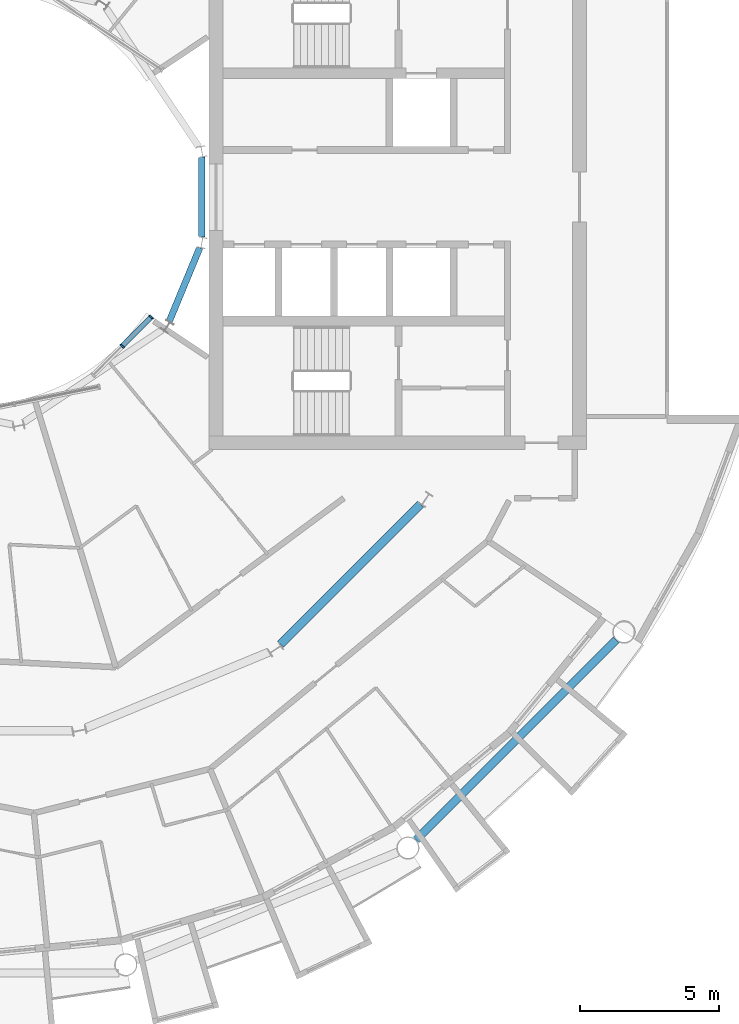
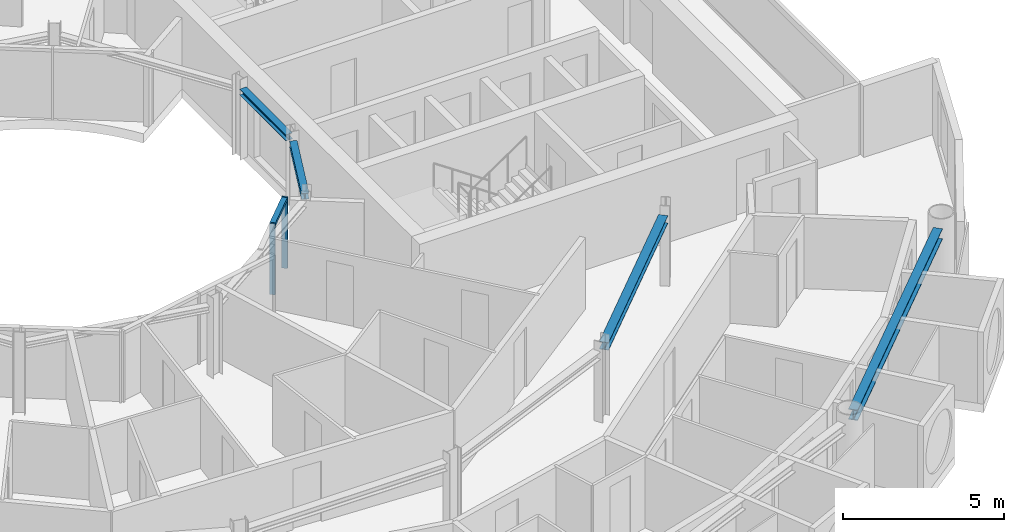
# One storey, part 7 of 27: 4 beams, 3 members, 1 element without a shape of its own.
"""IFC4 building model written with IfcOpenShell, lengths in metres."""

from ifc_helpers import new_model, si_unit, direction, frame, origin, origin_2d, place, context, subcontext, project, spatial, rectangle, i_section, extrude, material, layer, layer_set, material_profile, profile_set, type_object, element, aggregate, save


model = new_model("IFC4")

# Units and contexts
model_context = context("Model", 3, precision=1e-05, world=origin(), true_north=direction((0.0, 1.0)))
body_context = subcontext(model_context, "Body", "Model", "MODEL_VIEW")
ifc_project = project(units=[si_unit("LENGTHUNIT", "METRE"), si_unit("AREAUNIT", "SQUARE_METRE"), si_unit("VOLUMEUNIT", "CUBIC_METRE"), si_unit("PLANEANGLEUNIT", "RADIAN"), si_unit("MASSUNIT", "GRAM", prefix="KILO")], contexts=[model_context])

# Site, building, storey
site_placement = place(None, origin())
site = spatial("IfcSite", under=ifc_project, at=site_placement, CompositionType="ELEMENT")
building_placement = place(site_placement, origin())
building = spatial("IfcBuilding", under=site, at=building_placement, Name="Maasbend Ring Residences", CompositionType="ELEMENT")
storey_placement = place(building_placement, frame((0.0, 0.0, 151.300048828125)))
storey = spatial("IfcBuildingStorey", under=building, at=storey_placement, Name="L43", CompositionType="ELEMENT", Elevation=151.300048828125)

# Curtain wall, members
ifc_material_1 = material(Name="Aluminium and clear glass", Category="aluminium")
ifc_layer = layer(ifc_material_1, 0.179931640625)
ifc_layer_set = layer_set([ifc_layer], Name="CW-W")
curtain_wall_type = type_object("IfcCurtainWallType", Name="CW-W", PredefinedType="NOTDEFINED", material=ifc_layer_set)
curtain_wall_placement = place(storey_placement, origin())
curtain_wall = element("IfcCurtainWall", 1, at=curtain_wall_placement, inside=storey, type_object=curtain_wall_type, Name="Well curtain wall S3", PredefinedType="NOTDEFINED")
ifc_material_2 = material(Name="Aluminium 6063-T6", Category="aluminium")
ifc_material_profile_1 = material_profile(ifc_material_2, rectangle(XDim=0.179931640625, YDim=0.06005859375, at=origin_2d()), Name="AL 180x60")
ifc_profile_set_1 = profile_set([ifc_material_profile_1], Name="Aluminium 6063-T6")
member_type_1 = type_object("IfcMemberType", Name="CWM-W", PredefinedType="MULLION", material=ifc_profile_set_1)
member_1_placement = place(storey_placement, frame((5.366943359375, -5.366943359375, 0.0), z_axis=(0.0, 0.0, 1.0), x_axis=(-0.707106781187, 0.707106781187, 0.0)))
member_1 = element("IfcMember", 2, at=member_1_placement, type_object=member_type_1, Name="Mullion well face", PredefinedType="MULLION", context=body_context, shape_type="SweptSolid", body=[
    extrude(rectangle(XDim=0.179931640625, YDim=0.06005859375, at=origin_2d()), origin(), (0.0, 0.0, 1.0), 2.699951171875),
])
member_2_placement = place(storey_placement, frame((6.413330078125, -4.320556640625, 0.0), z_axis=(0.0, 0.0, 1.0), x_axis=(-0.707106781187, 0.707106781187, 0.0)))
member_2 = element("IfcMember", 3, at=member_2_placement, type_object=member_type_1, Name="Mullion well face", PredefinedType="MULLION", context=body_context, shape_type="SweptSolid", body=[
    extrude(rectangle(XDim=0.179931640625, YDim=0.06005859375, at=origin_2d()), origin(), (0.0, 0.0, 1.0), 2.699951171875),
])
ifc_material_3 = material(Name="Aluminium 6063-T6", Category="aluminium")
ifc_material_profile_2 = material_profile(ifc_material_3, rectangle(XDim=0.179931640625, YDim=0.1201171875, at=origin_2d()), Name="AL 180x120")
ifc_profile_set_2 = profile_set([ifc_material_profile_2], Name="Aluminium 6063-T6")
member_type_2 = type_object("IfcMemberType", Name="CWT-W", PredefinedType="USERDEFINED", material=ifc_profile_set_2)
member_3_placement = place(storey_placement, frame((5.38818359375, -5.345703125, 2.639892578125), z_axis=(0.707106781187, 0.707106781187, 0.0), x_axis=(-0.707106781187, 0.707106781187, 0.0)))
member_3 = element("IfcMember", 4, at=member_3_placement, type_object=member_type_2, Name="Transom well face", ObjectType="TRANSOM", PredefinedType="USERDEFINED", context=body_context, shape_type="SweptSolid", body=[
    extrude(rectangle(XDim=0.179931640625, YDim=0.1201171875, at=origin_2d()), origin(), (0.0, 0.0, 1.0), 1.419677734375),
])
aggregate(curtain_wall, [member_1, member_2, member_3])

# Beams
ifc_material_4 = material(Name="Steel S355J2", Category="steel")
ifc_material_profile_3 = material_profile(ifc_material_4, i_section(OverallWidth=0.300048828125, OverallDepth=0.2900390625, WebThickness=0.008544921875, FlangeThickness=0.013916015625, FilletRadius=0.027099609375, at=origin_2d()), Name="HEA 300")
ifc_profile_set_3 = profile_set([ifc_material_profile_3], Name="Steel S355J2")
beam_type_1 = type_object("IfcBeamType", Name="Corridor ring beam HEA 300", PredefinedType="BEAM", material=ifc_profile_set_3)
beam_1_placement = place(storey_placement, frame((11.0693359375, -16.11669921875, 2.554931640625), z_axis=(0.707106781187, 0.707106781187, 0.0), x_axis=(-0.707106781187, 0.707106781187, 0.0)))
element("IfcBeam", 5, at=beam_1_placement, inside=storey, type_object=beam_type_1, Name="Corridor ring beam", PredefinedType="BEAM", context=body_context, shape_type="SweptSolid", body=[
    extrude(i_section(OverallWidth=0.300048828125, OverallDepth=0.2900390625, WebThickness=0.008544921875, FlangeThickness=0.013916015625, FilletRadius=0.027099609375, at=origin_2d()), origin(), (0.0, 0.0, 1.0), 7.137939453125),
])
ifc_material_5 = material(Name="Steel S355J2", Category="steel")
ifc_material_profile_4 = material_profile(ifc_material_5, i_section(OverallWidth=0.300048828125, OverallDepth=0.39990234375, WebThickness=0.013427734375, FlangeThickness=0.02392578125, FilletRadius=0.027099609375, at=origin_2d()), Name="HEB 400")
ifc_profile_set_4 = profile_set([ifc_material_profile_4], Name="Steel S355J2")
beam_type_2 = type_object("IfcBeamType", Name="Spandrel ring beam HEB 400", PredefinedType="SPANDREL", material=ifc_profile_set_4)
beam_2_placement = place(storey_placement, frame((15.95458984375, -23.159912109375, 2.5), z_axis=(0.707106781187, 0.707106781187, 0.0), x_axis=(-0.707106781187, 0.707106781187, 0.0)))
element("IfcBeam", 6, at=beam_2_placement, inside=storey, type_object=beam_type_2, Name="Spandrel ring beam", PredefinedType="SPANDREL", context=body_context, shape_type="SweptSolid", body=[
    extrude(i_section(OverallWidth=0.300048828125, OverallDepth=0.39990234375, WebThickness=0.013427734375, FlangeThickness=0.02392578125, FilletRadius=0.027099609375, at=origin_2d()), origin(), (0.0, 0.0, 1.0), 10.18994140625),
])
ifc_material_6 = material(Name="Steel S355J2", Category="steel")
ifc_material_profile_5 = material_profile(ifc_material_6, i_section(OverallWidth=0.239990234375, OverallDepth=0.22998046875, WebThickness=0.007568359375, FlangeThickness=0.011962890625, FilletRadius=0.02099609375, at=origin_2d()), Name="HEA 240")
ifc_profile_set_5 = profile_set([ifc_material_profile_5], Name="Steel S355J2")
beam_type_3 = type_object("IfcBeamType", Name="Well edge beam HEA 240", PredefinedType="BEAM", material=ifc_profile_set_5)
for number, where, z_axis, x_axis, name in (
    (7, (7.060302734375, -4.483154296875, 2.5849609375), (0.382748596828, 0.923852537814, 0.0), (-0.923852537814, 0.382748596828, 0.0), "Well edge beam"),
    (8, (8.238525390625, -1.43994140625, 2.5849609375), (0.0, 1.0, 0.0), (-1.0, 0.0, 0.0), "Well edge beam"),
):
    element("IfcBeam", number, at=place(storey_placement, frame(where, z_axis=z_axis, x_axis=x_axis)), inside=storey, type_object=beam_type_3, Name=name, PredefinedType="BEAM", context=body_context, shape_type="SweptSolid", body=[
        extrude(i_section(OverallWidth=0.239990234375, OverallDepth=0.22998046875, WebThickness=0.007568359375, FlangeThickness=0.011962890625, FilletRadius=0.02099609375, at=origin_2d()), origin(), (0.0, 0.0, 1.0), 2.8798828125),
    ])

save(model, "model.ifc")
